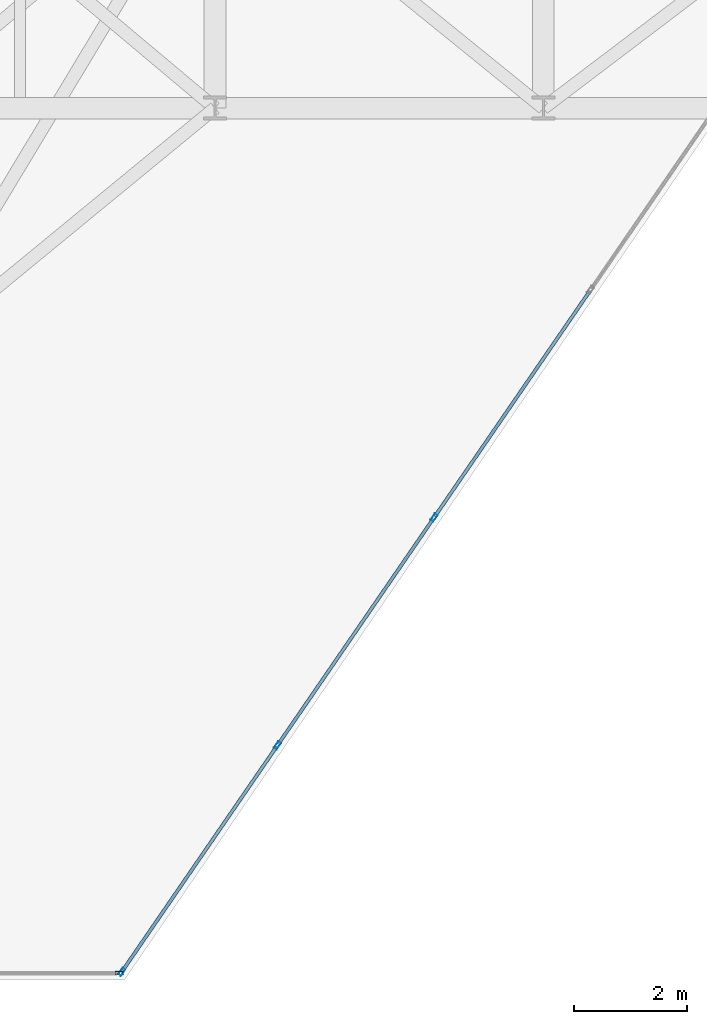
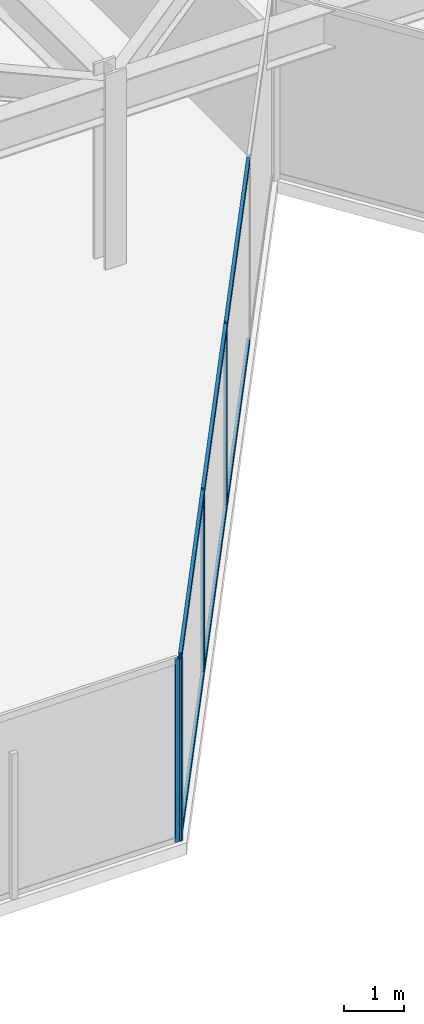
# One storey, part 6 of 26: 10 members, 2 elements without a shape of their own.
"""IFC4 building model written with IfcOpenShell, lengths in metres."""

from ifc_helpers import new_model, si_unit, direction, frame, origin, origin_2d, place, context, subcontext, project, spatial, hollow_rectangle, extrude, material, layer, layer_set, material_profile, profile_set, type_object, element, aggregate, save


model = new_model("IFC4")

# Units and contexts
model_context = context("Model", 3, precision=1e-05, world=origin(), true_north=direction((0.0, 1.0)))
body_context = subcontext(model_context, "Body", "Model", "MODEL_VIEW")
ifc_project = project(units=[si_unit("LENGTHUNIT", "METRE"), si_unit("AREAUNIT", "SQUARE_METRE"), si_unit("VOLUMEUNIT", "CUBIC_METRE"), si_unit("PLANEANGLEUNIT", "RADIAN"), si_unit("MASSUNIT", "GRAM", prefix="KILO")], contexts=[model_context])

# Site, building, storey
site_placement = place(None, origin())
site = spatial("IfcSite", under=ifc_project, at=site_placement, CompositionType="ELEMENT")
building_placement = place(site_placement, origin())
building = spatial("IfcBuilding", under=site, at=building_placement, Name="Kravanh Interchange Tower", CompositionType="ELEMENT")
storey_placement = place(building_placement, frame((0.0, 0.0, 172.5)))
storey = spatial("IfcBuildingStorey", under=building, at=storey_placement, Name="L41", CompositionType="ELEMENT", Elevation=172.5)

# Curtain wall, members
ifc_material_1 = material(Name="Anodised Bronze Aluminium", Category="aluminium")
ifc_layer = layer(ifc_material_1, 0.179931640625)
ifc_layer_set = layer_set([ifc_layer], Name="Unitised Curtain Wall System CW-Z3 Upper Office")
curtain_wall_type = type_object("IfcCurtainWallType", Name="Unitised Curtain Wall System CW-Z3 Upper Office", PredefinedType="NOTDEFINED", material=ifc_layer_set)
curtain_wall_1_placement = place(storey_placement, origin())
curtain_wall_1 = element("IfcCurtainWall", 1, at=curtain_wall_1_placement, inside=storey, type_object=curtain_wall_type, Name="L41 Unitised Curtain Wall CW-L41-05", PredefinedType="NOTDEFINED")
ifc_material_2 = material(Name="Anodised Bronze Aluminium", Category="aluminium")
ifc_material_profile_1 = material_profile(ifc_material_2, hollow_rectangle(XDim=0.06005859375, YDim=0.139892578125, WallThickness=0.00390625, at=origin_2d()), Name="ALU60X140X4")
ifc_profile_set_1 = profile_set([ifc_material_profile_1], Name="Anodised Bronze Aluminium")
member_type_1 = type_object("IfcMemberType", Name="Curtain Wall Mullion ALU60X140X4 Bronze", PredefinedType="MULLION", material=ifc_profile_set_1)
member_1_placement = place(storey_placement, frame((36.66845703125, 19.56591796875, 0.0), z_axis=(0.0, 0.0, 1.0), x_axis=(0.824042223035, -0.566528388217, 0.0)))
member_1 = element("IfcMember", 2, at=member_1_placement, type_object=member_type_1, Name="CW-Z3 mullion 3", PredefinedType="MULLION", context=body_context, shape_type="SweptSolid", body=[
    extrude(hollow_rectangle(XDim=0.06005859375, YDim=0.139892578125, WallThickness=0.00390625, at=origin_2d()), origin(), (0.0, 0.0, 1.0), 3.7548828125),
])
member_2_placement = place(storey_placement, frame((33.902587890625, 15.54296875, 0.0), z_axis=(0.0, 0.0, 1.0), x_axis=(0.824042223035, -0.566528388217, 0.0)))
member_2 = element("IfcMember", 3, at=member_2_placement, type_object=member_type_1, Name="CW-Z3 mullion 4", PredefinedType="MULLION", context=body_context, shape_type="SweptSolid", body=[
    extrude(hollow_rectangle(XDim=0.06005859375, YDim=0.139892578125, WallThickness=0.00390625, at=origin_2d()), origin(), (0.0, 0.0, 1.0), 3.7548828125),
])
member_3_placement = place(storey_placement, frame((31.15380859375, 11.544677734375, 0.0), z_axis=(0.0, 0.0, 1.0), x_axis=(0.824042223035, -0.566528388217, 0.0)))
member_3 = element("IfcMember", 4, at=member_3_placement, type_object=member_type_1, Name="CW-Z3 mullion 5", PredefinedType="MULLION", context=body_context, shape_type="SweptSolid", body=[
    extrude(hollow_rectangle(XDim=0.06005859375, YDim=0.139892578125, WallThickness=0.00390625, at=origin_2d()), origin(), (0.0, 0.0, 1.0), 3.7548828125),
])

# Curtain wall, member
curtain_wall_2_placement = place(storey_placement, origin())
curtain_wall_2 = element("IfcCurtainWall", 5, at=curtain_wall_2_placement, inside=storey, type_object=curtain_wall_type, Name="L41 Unitised Curtain Wall CW-L41-06", PredefinedType="NOTDEFINED")
member_4_placement = place(storey_placement, frame((31.10693359375, 11.52001953125, 0.0), z_axis=(0.0, 0.0, 1.0), x_axis=(0.0, -1.0, 0.0)))
member_4 = element("IfcMember", 6, at=member_4_placement, type_object=member_type_1, Name="CW-Z3 mullion 1", PredefinedType="MULLION", context=body_context, shape_type="SweptSolid", body=[
    extrude(hollow_rectangle(XDim=0.06005859375, YDim=0.139892578125, WallThickness=0.00390625, at=origin_2d()), origin(), (0.0, 0.0, 1.0), 3.7548828125),
])
aggregate(curtain_wall_2, [member_4])

# Member
ifc_material_3 = material(Name="Anodised Bronze Aluminium", Category="aluminium")
ifc_material_profile_2 = material_profile(ifc_material_3, hollow_rectangle(XDim=0.06005859375, YDim=0.139892578125, WallThickness=0.00390625, at=origin_2d()), Name="ALU60X140X4")
ifc_profile_set_2 = profile_set([ifc_material_profile_2], Name="Anodised Bronze Aluminium")
member_type_2 = type_object("IfcMemberType", Name="Curtain Wall Transom ALU60X140X4 Bronze", PredefinedType="USERDEFINED", material=ifc_profile_set_2)
member_5_placement = place(storey_placement, frame((39.417236328125, 23.564208984375, 0.030029296875), z_axis=(-0.566503037389, -0.824059651135, 0.0), x_axis=(0.824059651135, -0.566503037389, 0.0)))
member_5 = element("IfcMember", 7, at=member_5_placement, type_object=member_type_2, Name="CW-Z3 transom 2.1", ObjectType="TRANSOM", PredefinedType="USERDEFINED", context=body_context, shape_type="SweptSolid", body=[
    extrude(hollow_rectangle(XDim=0.06005859375, YDim=0.139892578125, WallThickness=0.00390625, at=origin_2d()), origin(), (0.0, 0.0, 1.0), 4.822021484375),
])

member_6_placement = place(storey_placement, frame((39.417236328125, 23.564208984375, 3.72509765625), z_axis=(-0.566503037389, -0.824059651135, 0.0), x_axis=(0.824059651135, -0.566503037389, 0.0)))
member_6 = element("IfcMember", 8, at=member_6_placement, type_object=member_type_2, Name="CW-Z3 transom 2.2", ObjectType="TRANSOM", PredefinedType="USERDEFINED", context=body_context, shape_type="SweptSolid", body=[
    extrude(hollow_rectangle(XDim=0.06005859375, YDim=0.139892578125, WallThickness=0.00390625, at=origin_2d()), origin(), (0.0, 0.0, 1.0), 4.822021484375),
])

member_7_placement = place(storey_placement, frame((36.6513671875, 19.541259765625, 0.030029296875), z_axis=(-0.566503037389, -0.824059651135, 0.0), x_axis=(0.824059651135, -0.566503037389, 0.0)))
member_7 = element("IfcMember", 9, at=member_7_placement, type_object=member_type_2, Name="CW-Z3 transom 3.1", ObjectType="TRANSOM", PredefinedType="USERDEFINED", context=body_context, shape_type="SweptSolid", body=[
    extrude(hollow_rectangle(XDim=0.06005859375, YDim=0.139892578125, WallThickness=0.00390625, at=origin_2d()), origin(), (0.0, 0.0, 1.0), 4.822021484375),
])

member_8_placement = place(storey_placement, frame((36.6513671875, 19.541259765625, 3.72509765625), z_axis=(-0.566503037389, -0.824059651135, 0.0), x_axis=(0.824059651135, -0.566503037389, 0.0)))
member_8 = element("IfcMember", 10, at=member_8_placement, type_object=member_type_2, Name="CW-Z3 transom 3.2", ObjectType="TRANSOM", PredefinedType="USERDEFINED", context=body_context, shape_type="SweptSolid", body=[
    extrude(hollow_rectangle(XDim=0.06005859375, YDim=0.139892578125, WallThickness=0.00390625, at=origin_2d()), origin(), (0.0, 0.0, 1.0), 4.822021484375),
])

member_9_placement = place(storey_placement, frame((33.8857421875, 15.518310546875, 0.030029296875), z_axis=(-0.566518012045, -0.824049356549, 0.0), x_axis=(0.824049356549, -0.566518012045, 0.0)))
member_9 = element("IfcMember", 11, at=member_9_placement, type_object=member_type_2, Name="CW-Z3 transom 4.1", ObjectType="TRANSOM", PredefinedType="USERDEFINED", context=body_context, shape_type="SweptSolid", body=[
    extrude(hollow_rectangle(XDim=0.06005859375, YDim=0.139892578125, WallThickness=0.00390625, at=origin_2d()), origin(), (0.0, 0.0, 1.0), 4.792236328125),
])

member_10_placement = place(storey_placement, frame((33.8857421875, 15.518310546875, 3.72509765625), z_axis=(-0.566518012045, -0.824049356549, 0.0), x_axis=(0.824049356549, -0.566518012045, 0.0)))
member_10 = element("IfcMember", 12, at=member_10_placement, type_object=member_type_2, Name="CW-Z3 transom 4.2", ObjectType="TRANSOM", PredefinedType="USERDEFINED", context=body_context, shape_type="SweptSolid", body=[
    extrude(hollow_rectangle(XDim=0.06005859375, YDim=0.139892578125, WallThickness=0.00390625, at=origin_2d()), origin(), (0.0, 0.0, 1.0), 4.792236328125),
])

aggregate(curtain_wall_1, [member_1, member_2, member_3, member_5, member_6, member_7, member_8, member_9, member_10])

save(model, "model.ifc")
